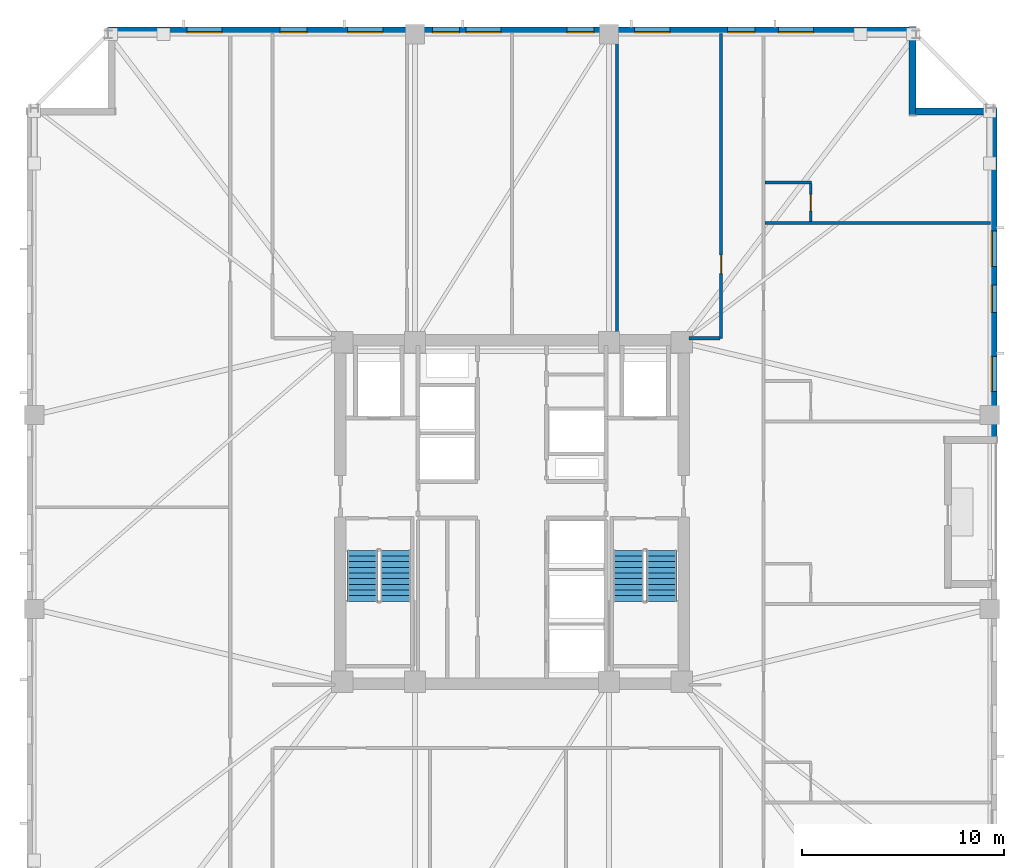
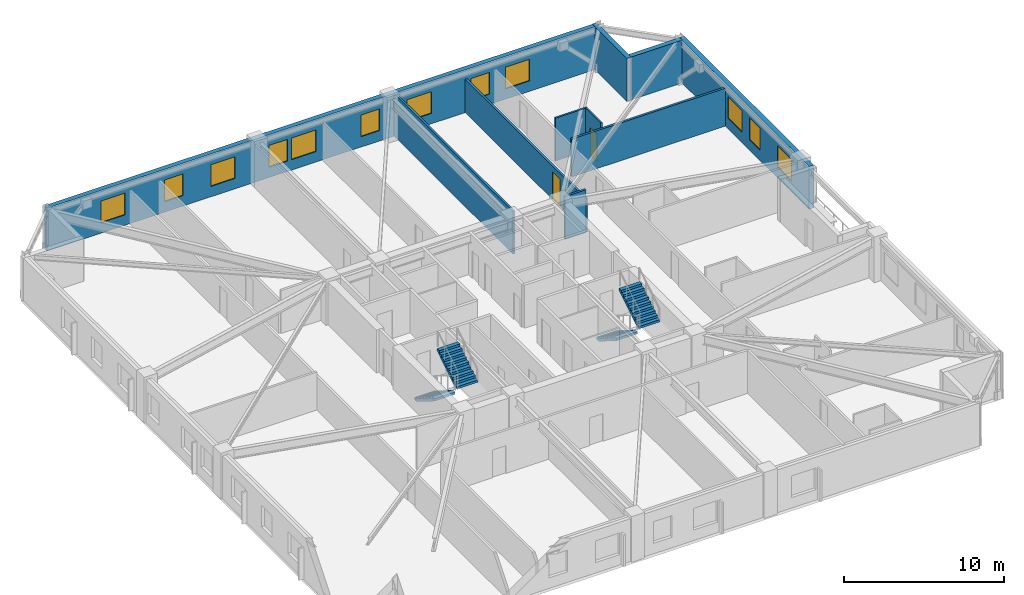
# One storey, part 5 of 10: 12 windows, 10 walls, 4 stair flights, 2 doors, 14 openings, 2 elements without a shape of their own.
"""IFC4 building model written with IfcOpenShell, lengths in metres."""

from ifc_helpers import new_model, si_unit, direction, frame, frame_2d, origin, place, context, subcontext, project, spatial, polyline, rectangle, outline, extrude, material, layer, layer_set, type_object, element, fill, aggregate, save


model = new_model("IFC4")

# Units and contexts
model_context = context("Model", 3, precision=1e-05, world=origin(), true_north=direction((0.0, 1.0)))
body_context = subcontext(model_context, "Body", "Model", "MODEL_VIEW")
ifc_project = project(units=[si_unit("LENGTHUNIT", "METRE"), si_unit("AREAUNIT", "SQUARE_METRE"), si_unit("VOLUMEUNIT", "CUBIC_METRE"), si_unit("PLANEANGLEUNIT", "RADIAN"), si_unit("MASSUNIT", "GRAM", prefix="KILO")], contexts=[model_context])

# Site, building, storey
site_placement = place(None, origin())
site = spatial("IfcSite", under=ifc_project, at=site_placement, CompositionType="ELEMENT")
building_placement = place(site_placement, origin())
building = spatial("IfcBuilding", under=site, at=building_placement, Name="Cairnveth Concourse Tower", CompositionType="ELEMENT")
storey_placement = place(building_placement, frame((0.0, 0.0, 186.5)))
storey = spatial("IfcBuildingStorey", under=building, at=storey_placement, Name="L51", CompositionType="ELEMENT", Elevation=186.5)

# Wall, opening, door
ifc_material_1 = material(Name="Gypsum Plasterboard Partition", Category="gypsum")
ifc_layer_1 = layer(ifc_material_1, 0.159912109375)
ifc_layer_set_1 = layer_set([ifc_layer_1], Name="Gypsum Plasterboard Partition")
wall_type_1 = type_object("IfcWallType", Name="ACOUSTIC PARTY WALL 180", PredefinedType="PARTITIONING", material=ifc_layer_set_1)
wall_1_placement = place(storey_placement, frame((62.35009765625, 47.60009765625, 0.0), z_axis=(0.0, 0.0, 1.0), x_axis=(0.0, 1.0, 0.0)))
wall_1 = element("IfcWall", 1, at=wall_1_placement, inside=storey, type_object=wall_type_1, Name="Interior Wall IW-L51-044", PredefinedType="PARTITIONING", context=body_context, shape_type="SweptSolid", body=[
    extrude(rectangle(XDim=15.074951171875, YDim=0.159912109375, at=frame_2d((7.53759765625, 0.0))), origin(), (0.0, 0.0, 1.0), 2.554931640625),
])
opening_1_placement = place(wall_1_placement, frame((3.199951171875, 0.0, 0.0)))
opening_1 = element("IfcOpeningElement", 2, at=opening_1_placement, cuts=wall_1, Name="Opening ID15", PredefinedType="OPENING", context=body_context, shape_type="SweptSolid", body=[
    extrude(rectangle(XDim=0.919921875, YDim=2.1201171875, at=frame_2d((0.4599609375, 1.06005859375))), frame((0.0, 0.08984375, 0.0), z_axis=(0.0, -1.0, 0.0), x_axis=(1.0, 0.0, 0.0)), (0.0, 0.0, 1.0), 0.179931640625),
])
ifc_material_2 = material(Name="Solid Core Hardwood Timber Leaf", Category="wood")
door_type_1 = type_object("IfcDoorType", Name="INTERIOR SINGLE DOOR 920X2100", OperationType="NOTDEFINED", PredefinedType="DOOR", material=ifc_material_2)
door_1_placement = place(opening_1_placement, origin())
door_1 = element("IfcDoor", 3, at=door_1_placement, inside=storey, type_object=door_type_1, Name="Interior Door DR-L51-019", OperationType="SINGLE_SWING_LEFT", OverallHeight=2.1201171875, OverallWidth=0.919921875, PredefinedType="DOOR", context=body_context, shape_type="SweptSolid", body=[
    extrude(rectangle(XDim=0.919921875, YDim=2.1201171875, at=frame_2d((0.4599609375, 1.06005859375))), frame((0.0, 0.02490234375, 0.0), z_axis=(0.0, -1.0, 0.0), x_axis=(1.0, 0.0, 0.0)), (0.0, 0.0, 1.0), 0.050048828125),
])
fill(opening_1, door_1)

# Walls
wall_2_placement = place(storey_placement, frame((60.764892578125, 47.60009765625, 0.0), z_axis=(0.0, 0.0, 1.0), x_axis=(1.0, 0.0, 0.0)))
element("IfcWall", 4, at=wall_2_placement, inside=storey, type_object=wall_type_1, Name="Interior Wall IW-L51-046", PredefinedType="PARTITIONING", context=body_context, shape_type="SweptSolid", body=[
    extrude(rectangle(XDim=1.52001953125, YDim=0.159912109375, at=frame_2d((0.760009765625, 0.0))), origin(), (0.0, 0.0, 1.0), 3.280029296875),
])
wall_3_placement = place(storey_placement, frame((64.530029296875, 53.308837890625, 0.0), z_axis=(0.0, 0.0, 1.0), x_axis=(1.0, 0.0, 0.0)))
element("IfcWall", 5, at=wall_3_placement, inside=storey, type_object=wall_type_1, Name="Interior Wall IW-L51-066", PredefinedType="PARTITIONING", context=body_context, shape_type="SweptSolid", body=[
    extrude(rectangle(XDim=11.14501953125, YDim=0.159912109375, at=frame_2d((5.572509765625, 0.0))), origin(), (0.0, 0.0, 1.0), 2.89599609375),
])
ifc_layer_2 = layer(ifc_material_1, 0.139892578125)
ifc_layer_set_2 = layer_set([ifc_layer_2], Name="Gypsum Plasterboard Partition")
wall_type_2 = type_object("IfcWallType", Name="GYPSUM STUD PARTITION 140", PredefinedType="PARTITIONING", material=ifc_layer_set_2)
wall_4_placement = place(storey_placement, frame((57.199951171875, 47.760009765625, 0.0), z_axis=(0.0, 0.0, 1.0), x_axis=(0.0, 1.0, 0.0)))
element("IfcWall", 6, at=wall_4_placement, inside=storey, type_object=wall_type_2, Name="Interior Wall IW-L51-050", PredefinedType="PARTITIONING", context=body_context, shape_type="SweptSolid", body=[
    extrude(rectangle(XDim=14.9150390625, YDim=0.139892578125, at=frame_2d((7.45751953125, 0.0))), origin(), (0.0, 0.0, 1.0), 3.280029296875),
])
ifc_layer_3 = layer(ifc_material_1, 0.1298828125)
ifc_layer_set_3 = layer_set([ifc_layer_3], Name="Gypsum Plasterboard Partition")
wall_type_3 = type_object("IfcWallType", Name="WET AREA PARTITION 140", PredefinedType="PLUMBINGWALL", material=ifc_layer_set_3)
wall_5_placement = place(storey_placement, frame((64.514892578125, 55.308837890625, 0.0), z_axis=(0.0, 0.0, 1.0), x_axis=(1.0, 0.0, 0.0)))
element("IfcWall", 7, at=wall_5_placement, inside=storey, type_object=wall_type_3, Name="Interior Wall IW-L51-067", PredefinedType="PLUMBINGWALL", context=body_context, shape_type="SweptSolid", body=[
    extrude(rectangle(XDim=2.315185546875, YDim=0.1298828125, at=frame_2d((1.15771484375, 0.0))), origin(), (0.0, 0.0, 1.0), 3.280029296875),
])

# Wall, opening, door
wall_6_placement = place(storey_placement, frame((66.780029296875, 53.373779296875, 0.0), z_axis=(0.0, 0.0, 1.0), x_axis=(0.0, 1.0, 0.0)))
wall_6 = element("IfcWall", 8, at=wall_6_placement, inside=storey, type_object=wall_type_3, Name="Interior Wall IW-L51-068", PredefinedType="PLUMBINGWALL", context=body_context, shape_type="SweptSolid", body=[
    extrude(rectangle(XDim=1.885009765625, YDim=0.1298828125, at=frame_2d((0.9423828125, 0.0))), origin(), (0.0, 0.0, 1.0), 3.280029296875),
])
opening_2_placement = place(wall_6_placement, frame((0.52490234375, 0.0, 0.0)))
opening_2 = element("IfcOpeningElement", 9, at=opening_2_placement, cuts=wall_6, Name="Opening ID22", PredefinedType="OPENING", context=body_context, shape_type="SweptSolid", body=[
    extrude(rectangle(XDim=0.820068359375, YDim=2.10009765625, at=frame_2d((0.41015625, 1.050048828125))), frame((0.0, 0.074951171875, 0.0), z_axis=(0.0, -1.0, 0.0), x_axis=(1.0, 0.0, 0.0)), (0.0, 0.0, 1.0), 0.14990234375),
])
door_type_2 = type_object("IfcDoorType", Name="INTERIOR WC DOOR 820X2100", OperationType="NOTDEFINED", PredefinedType="DOOR", material=ifc_material_2)
door_2_placement = place(opening_2_placement, origin())
door_2 = element("IfcDoor", 10, at=door_2_placement, inside=storey, type_object=door_type_2, Name="En-Suite Door L51-E5", OperationType="SINGLE_SWING_LEFT", OverallHeight=2.10009765625, OverallWidth=0.820068359375, PredefinedType="DOOR", context=body_context, shape_type="SweptSolid", body=[
    extrude(rectangle(XDim=0.820068359375, YDim=2.10009765625, at=frame_2d((0.41015625, 1.050048828125))), frame((0.0, 0.02490234375, 0.0), z_axis=(0.0, -1.0, 0.0), x_axis=(1.0, 0.0, 0.0)), (0.0, 0.0, 1.0), 0.050048828125),
])
fill(opening_2, door_2)

# Wall, openings, windows
ifc_material_3 = material(Name="Hawthorn Red-Ochre Fired Clay Brick Masonry", Category="masonry")
ifc_layer_4 = layer(ifc_material_3, 0.340087890625)
ifc_layer_set_4 = layer_set([ifc_layer_4], Name="Hawthorn Red-Ochre Fired Clay Brick Masonry")
wall_type_4 = type_object("IfcWallType", Name="ZONE 2 BRICK PIER SPANDREL WALL 340", PredefinedType="SOLIDWALL", material=ifc_layer_set_4)
wall_7_placement = place(storey_placement, frame((32.0, 62.830078125, 0.0), z_axis=(0.0, 0.0, 1.0), x_axis=(1.0, 0.0, 0.0)))
wall_7 = element("IfcWall", 11, at=wall_7_placement, inside=storey, type_object=wall_type_4, Name="Exterior Wall EW-L51-S09", PredefinedType="SOLIDWALL", context=body_context, shape_type="SweptSolid", body=[
    extrude(rectangle(XDim=39.681884765625, YDim=0.340087890625, at=frame_2d((19.8408203125, 0.0))), origin(), (0.0, 0.0, 1.0), 3.280029296875),
])
opening_3_placement = place(wall_7_placement, frame((3.90185546875, 0.0, 0.800048828125)))
opening_3 = element("IfcOpeningElement", 12, at=opening_3_placement, cuts=wall_7, Name="Opening W06", PredefinedType="OPENING", context=body_context, shape_type="SweptSolid", body=[
    extrude(rectangle(XDim=1.75, YDim=1.659912109375, at=frame_2d((0.875, 0.830078125))), frame((0.0, 0.179931640625, 0.0), z_axis=(0.0, -1.0, 0.0), x_axis=(1.0, 0.0, 0.0)), (0.0, 0.0, 1.0), 0.360107421875),
])
opening_4_placement = place(wall_7_placement, frame((8.50537109375, 0.0, 0.800048828125)))
opening_4 = element("IfcOpeningElement", 13, at=opening_4_placement, cuts=wall_7, Name="Opening W02", PredefinedType="OPENING", context=body_context, shape_type="SweptSolid", body=[
    extrude(rectangle(XDim=1.35009765625, YDim=1.659912109375, at=frame_2d((0.675048828125, 0.830078125))), frame((0.0, 0.179931640625, 0.0), z_axis=(0.0, -1.0, 0.0), x_axis=(1.0, 0.0, 0.0)), (0.0, 0.0, 1.0), 0.360107421875),
])
opening_5_placement = place(wall_7_placement, frame((11.85888671875, 0.0, 0.800048828125)))
opening_5 = element("IfcOpeningElement", 14, at=opening_5_placement, cuts=wall_7, Name="Opening W06", PredefinedType="OPENING", context=body_context, shape_type="SweptSolid", body=[
    extrude(rectangle(XDim=1.75, YDim=1.659912109375, at=frame_2d((0.875, 0.830078125))), frame((0.0, 0.179931640625, 0.0), z_axis=(0.0, -1.0, 0.0), x_axis=(1.0, 0.0, 0.0)), (0.0, 0.0, 1.0), 0.360107421875),
])
opening_6_placement = place(wall_7_placement, frame((16.0625, 0.0, 0.800048828125)))
opening_6 = element("IfcOpeningElement", 15, at=opening_6_placement, cuts=wall_7, Name="Opening W02", PredefinedType="OPENING", context=body_context, shape_type="SweptSolid", body=[
    extrude(rectangle(XDim=1.35009765625, YDim=1.659912109375, at=frame_2d((0.675048828125, 0.830078125))), frame((0.0, 0.179931640625, 0.0), z_axis=(0.0, -1.0, 0.0), x_axis=(1.0, 0.0, 0.0)), (0.0, 0.0, 1.0), 0.360107421875),
])
opening_7_placement = place(wall_7_placement, frame((17.716064453125, 0.0, 0.800048828125)))
opening_7 = element("IfcOpeningElement", 16, at=opening_7_placement, cuts=wall_7, Name="Opening W06", PredefinedType="OPENING", context=body_context, shape_type="SweptSolid", body=[
    extrude(rectangle(XDim=1.75, YDim=1.659912109375, at=frame_2d((0.875, 0.830078125))), frame((0.0, 0.179931640625, 0.0), z_axis=(0.0, -1.0, 0.0), x_axis=(1.0, 0.0, 0.0)), (0.0, 0.0, 1.0), 0.360107421875),
])
opening_8_placement = place(wall_7_placement, frame((22.719482421875, 0.0, 0.800048828125)))
opening_8 = element("IfcOpeningElement", 17, at=opening_8_placement, cuts=wall_7, Name="Opening W02", PredefinedType="OPENING", context=body_context, shape_type="SweptSolid", body=[
    extrude(rectangle(XDim=1.35009765625, YDim=1.659912109375, at=frame_2d((0.675048828125, 0.830078125))), frame((0.0, 0.179931640625, 0.0), z_axis=(0.0, -1.0, 0.0), x_axis=(1.0, 0.0, 0.0)), (0.0, 0.0, 1.0), 0.360107421875),
])
opening_9_placement = place(wall_7_placement, frame((26.072998046875, 0.0, 0.800048828125)))
opening_9 = element("IfcOpeningElement", 18, at=opening_9_placement, cuts=wall_7, Name="Opening W06", PredefinedType="OPENING", context=body_context, shape_type="SweptSolid", body=[
    extrude(rectangle(XDim=1.75, YDim=1.659912109375, at=frame_2d((0.875, 0.830078125))), frame((0.0, 0.179931640625, 0.0), z_axis=(0.0, -1.0, 0.0), x_axis=(1.0, 0.0, 0.0)), (0.0, 0.0, 1.0), 0.360107421875),
])
opening_10_placement = place(wall_7_placement, frame((30.6767578125, 0.0, 0.800048828125)))
opening_10 = element("IfcOpeningElement", 19, at=opening_10_placement, cuts=wall_7, Name="Opening W02", PredefinedType="OPENING", context=body_context, shape_type="SweptSolid", body=[
    extrude(rectangle(XDim=1.35009765625, YDim=1.659912109375, at=frame_2d((0.675048828125, 0.830078125))), frame((0.0, 0.179931640625, 0.0), z_axis=(0.0, -1.0, 0.0), x_axis=(1.0, 0.0, 0.0)), (0.0, 0.0, 1.0), 0.360107421875),
])
opening_11_placement = place(wall_7_placement, frame((33.18017578125, 0.0, 0.800048828125)))
opening_11 = element("IfcOpeningElement", 20, at=opening_11_placement, cuts=wall_7, Name="Opening W06", PredefinedType="OPENING", context=body_context, shape_type="SweptSolid", body=[
    extrude(rectangle(XDim=1.75, YDim=1.659912109375, at=frame_2d((0.875, 0.830078125))), frame((0.0, 0.179931640625, 0.0), z_axis=(0.0, -1.0, 0.0), x_axis=(1.0, 0.0, 0.0)), (0.0, 0.0, 1.0), 0.360107421875),
])
ifc_material_4 = material(Name="Double Glazed Low-E Clear Glass", Category="glass")
window_type_1 = type_object("IfcWindowType", Name="DEEP-SET GOTHIC LANCET WINDOW 1350X1800", PartitioningType="DOUBLE_PANEL_VERTICAL", PredefinedType="WINDOW", material=ifc_material_4)
window_1_placement = place(opening_4_placement, origin())
window_1 = element("IfcWindow", 21, at=window_1_placement, inside=storey, type_object=window_type_1, Name="Gothic Lancet Window L51-9-2", OverallHeight=1.659912109375, OverallWidth=1.35009765625, PartitioningType="SINGLE_PANEL", PredefinedType="WINDOW", context=body_context, shape_type="SweptSolid", body=[
    extrude(rectangle(XDim=1.35009765625, YDim=1.659912109375, at=frame_2d((0.675048828125, 0.830078125))), frame((0.0, -0.050048828125, 0.0), z_axis=(0.0, -1.0, 0.0), x_axis=(1.0, 0.0, 0.0)), (0.0, 0.0, 1.0), 0.06005859375),
])
fill(opening_4, window_1)
window_2_placement = place(opening_6_placement, origin())
window_2 = element("IfcWindow", 22, at=window_2_placement, inside=storey, type_object=window_type_1, Name="Gothic Lancet Window L51-9-4", OverallHeight=1.659912109375, OverallWidth=1.35009765625, PartitioningType="SINGLE_PANEL", PredefinedType="WINDOW", context=body_context, shape_type="SweptSolid", body=[
    extrude(rectangle(XDim=1.35009765625, YDim=1.659912109375, at=frame_2d((0.675048828125, 0.830078125))), frame((0.0, -0.050048828125, 0.0), z_axis=(0.0, -1.0, 0.0), x_axis=(1.0, 0.0, 0.0)), (0.0, 0.0, 1.0), 0.06005859375),
])
fill(opening_6, window_2)
window_3_placement = place(opening_8_placement, origin())
window_3 = element("IfcWindow", 23, at=window_3_placement, inside=storey, type_object=window_type_1, Name="Gothic Lancet Window L51-9-6", OverallHeight=1.659912109375, OverallWidth=1.35009765625, PartitioningType="SINGLE_PANEL", PredefinedType="WINDOW", context=body_context, shape_type="SweptSolid", body=[
    extrude(rectangle(XDim=1.35009765625, YDim=1.659912109375, at=frame_2d((0.675048828125, 0.830078125))), frame((0.0, -0.050048828125, 0.0), z_axis=(0.0, -1.0, 0.0), x_axis=(1.0, 0.0, 0.0)), (0.0, 0.0, 1.0), 0.06005859375),
])
fill(opening_8, window_3)
window_4_placement = place(opening_10_placement, origin())
window_4 = element("IfcWindow", 24, at=window_4_placement, inside=storey, type_object=window_type_1, Name="Gothic Lancet Window L51-9-8", OverallHeight=1.659912109375, OverallWidth=1.35009765625, PartitioningType="SINGLE_PANEL", PredefinedType="WINDOW", context=body_context, shape_type="SweptSolid", body=[
    extrude(rectangle(XDim=1.35009765625, YDim=1.659912109375, at=frame_2d((0.675048828125, 0.830078125))), frame((0.0, -0.050048828125, 0.0), z_axis=(0.0, -1.0, 0.0), x_axis=(1.0, 0.0, 0.0)), (0.0, 0.0, 1.0), 0.06005859375),
])
fill(opening_10, window_4)
window_type_2 = type_object("IfcWindowType", Name="DEEP-SET HOTEL SUITE WINDOW 1750X1800", PartitioningType="DOUBLE_PANEL_VERTICAL", PredefinedType="WINDOW", material=ifc_material_4)
window_5_placement = place(opening_3_placement, origin())
window_5 = element("IfcWindow", 25, at=window_5_placement, inside=storey, type_object=window_type_2, Name="Gothic Lancet Window L51-9-1", OverallHeight=1.659912109375, OverallWidth=1.75, PartitioningType="SINGLE_PANEL", PredefinedType="WINDOW", context=body_context, shape_type="SweptSolid", body=[
    extrude(rectangle(XDim=1.75, YDim=1.659912109375, at=frame_2d((0.875, 0.830078125))), frame((0.0, -0.050048828125, 0.0), z_axis=(0.0, -1.0, 0.0), x_axis=(1.0, 0.0, 0.0)), (0.0, 0.0, 1.0), 0.06005859375),
])
fill(opening_3, window_5)
window_6_placement = place(opening_5_placement, origin())
window_6 = element("IfcWindow", 26, at=window_6_placement, inside=storey, type_object=window_type_2, Name="Gothic Lancet Window L51-9-3", OverallHeight=1.659912109375, OverallWidth=1.75, PartitioningType="SINGLE_PANEL", PredefinedType="WINDOW", context=body_context, shape_type="SweptSolid", body=[
    extrude(rectangle(XDim=1.75, YDim=1.659912109375, at=frame_2d((0.875, 0.830078125))), frame((0.0, -0.050048828125, 0.0), z_axis=(0.0, -1.0, 0.0), x_axis=(1.0, 0.0, 0.0)), (0.0, 0.0, 1.0), 0.06005859375),
])
fill(opening_5, window_6)
window_7_placement = place(opening_7_placement, origin())
window_7 = element("IfcWindow", 27, at=window_7_placement, inside=storey, type_object=window_type_2, Name="Gothic Lancet Window L51-9-5", OverallHeight=1.659912109375, OverallWidth=1.75, PartitioningType="SINGLE_PANEL", PredefinedType="WINDOW", context=body_context, shape_type="SweptSolid", body=[
    extrude(rectangle(XDim=1.75, YDim=1.659912109375, at=frame_2d((0.875, 0.830078125))), frame((0.0, -0.050048828125, 0.0), z_axis=(0.0, -1.0, 0.0), x_axis=(1.0, 0.0, 0.0)), (0.0, 0.0, 1.0), 0.06005859375),
])
fill(opening_7, window_7)
window_8_placement = place(opening_9_placement, origin())
window_8 = element("IfcWindow", 28, at=window_8_placement, inside=storey, type_object=window_type_2, Name="Gothic Lancet Window L51-9-7", OverallHeight=1.659912109375, OverallWidth=1.75, PartitioningType="SINGLE_PANEL", PredefinedType="WINDOW", context=body_context, shape_type="SweptSolid", body=[
    extrude(rectangle(XDim=1.75, YDim=1.659912109375, at=frame_2d((0.875, 0.830078125))), frame((0.0, -0.050048828125, 0.0), z_axis=(0.0, -1.0, 0.0), x_axis=(1.0, 0.0, 0.0)), (0.0, 0.0, 1.0), 0.06005859375),
])
fill(opening_9, window_8)
window_9_placement = place(opening_11_placement, origin())
window_9 = element("IfcWindow", 29, at=window_9_placement, inside=storey, type_object=window_type_2, Name="Gothic Lancet Window L51-9-9", OverallHeight=1.659912109375, OverallWidth=1.75, PartitioningType="SINGLE_PANEL", PredefinedType="WINDOW", context=body_context, shape_type="SweptSolid", body=[
    extrude(rectangle(XDim=1.75, YDim=1.659912109375, at=frame_2d((0.875, 0.830078125))), frame((0.0, -0.050048828125, 0.0), z_axis=(0.0, -1.0, 0.0), x_axis=(1.0, 0.0, 0.0)), (0.0, 0.0, 1.0), 0.06005859375),
])
fill(opening_11, window_9)

# Walls
wall_8_placement = place(storey_placement, frame((71.830078125, 63.0, 0.0), z_axis=(0.0, 0.0, 1.0), x_axis=(0.0, -1.0, 0.0)))
element("IfcWall", 30, at=wall_8_placement, inside=storey, type_object=wall_type_4, Name="Exterior Wall EW-L51-S10", PredefinedType="SOLIDWALL", context=body_context, shape_type="SweptSolid", body=[
    extrude(rectangle(XDim=4.340087890625, YDim=0.340087890625, at=frame_2d((2.169921875, 0.0))), origin(), (0.0, 0.0, 1.0), 3.280029296875),
])
wall_9_placement = place(storey_placement, frame((71.97802734375, 58.830078125, 0.0), z_axis=(0.0, 0.0, 1.0), x_axis=(1.0, 0.0, 0.0)))
element("IfcWall", 31, at=wall_9_placement, inside=storey, type_object=wall_type_4, Name="Exterior Wall EW-L51-S11", PredefinedType="SOLIDWALL", context=body_context, shape_type="SweptSolid", body=[
    extrude(rectangle(XDim=3.703857421875, YDim=0.340087890625, at=frame_2d((1.85205078125, 0.0))), origin(), (0.0, 0.0, 1.0), 3.280029296875),
])

# Wall, openings, windows
wall_10_placement = place(storey_placement, frame((75.830078125, 59.0, 0.0), z_axis=(0.0, 0.0, 1.0), x_axis=(0.0, -1.0, 0.0)))
wall_10 = element("IfcWall", 32, at=wall_10_placement, inside=storey, type_object=wall_type_4, Name="Exterior Wall EW-L51-S12", PredefinedType="SOLIDWALL", context=body_context, shape_type="SweptSolid", body=[
    extrude(rectangle(XDim=16.281982421875, YDim=0.340087890625, at=frame_2d((8.14111328125, 0.0))), origin(), (0.0, 0.0, 1.0), 3.280029296875),
])
opening_12_placement = place(wall_10_placement, frame((6.088623046875, 0.0, 0.800048828125)))
opening_12 = element("IfcOpeningElement", 33, at=opening_12_placement, cuts=wall_10, Name="Opening W06", PredefinedType="OPENING", context=body_context, shape_type="SweptSolid", body=[
    extrude(rectangle(XDim=1.75, YDim=1.659912109375, at=frame_2d((0.875, 0.830078125))), frame((0.0, 0.179931640625, 0.0), z_axis=(0.0, -1.0, 0.0), x_axis=(1.0, 0.0, 0.0)), (0.0, 0.0, 1.0), 0.360107421875),
])
opening_13_placement = place(wall_10_placement, frame((8.76611328125, 0.0, 0.800048828125)))
opening_13 = element("IfcOpeningElement", 34, at=opening_13_placement, cuts=wall_10, Name="Opening W02", PredefinedType="OPENING", context=body_context, shape_type="SweptSolid", body=[
    extrude(rectangle(XDim=1.35009765625, YDim=1.659912109375, at=frame_2d((0.675048828125, 0.830078125))), frame((0.0, 0.179931640625, 0.0), z_axis=(0.0, -1.0, 0.0), x_axis=(1.0, 0.0, 0.0)), (0.0, 0.0, 1.0), 0.360107421875),
])
opening_14_placement = place(wall_10_placement, frame((12.293212890625, 0.0, 0.800048828125)))
opening_14 = element("IfcOpeningElement", 35, at=opening_14_placement, cuts=wall_10, Name="Opening W06", PredefinedType="OPENING", context=body_context, shape_type="SweptSolid", body=[
    extrude(rectangle(XDim=1.75, YDim=1.659912109375, at=frame_2d((0.875, 0.830078125))), frame((0.0, 0.179931640625, 0.0), z_axis=(0.0, -1.0, 0.0), x_axis=(1.0, 0.0, 0.0)), (0.0, 0.0, 1.0), 0.360107421875),
])
window_10_placement = place(opening_13_placement, origin())
window_10 = element("IfcWindow", 36, at=window_10_placement, inside=storey, type_object=window_type_1, Name="Gothic Lancet Window L51-12-2", OverallHeight=1.659912109375, OverallWidth=1.35009765625, PartitioningType="SINGLE_PANEL", PredefinedType="WINDOW", context=body_context, shape_type="SweptSolid", body=[
    extrude(rectangle(XDim=1.35009765625, YDim=1.659912109375, at=frame_2d((0.675048828125, 0.830078125))), frame((0.0, -0.050048828125, 0.0), z_axis=(0.0, -1.0, 0.0), x_axis=(1.0, 0.0, 0.0)), (0.0, 0.0, 1.0), 0.06005859375),
])
fill(opening_13, window_10)
window_11_placement = place(opening_12_placement, origin())
window_11 = element("IfcWindow", 37, at=window_11_placement, inside=storey, type_object=window_type_2, Name="Gothic Lancet Window L51-12-1", OverallHeight=1.659912109375, OverallWidth=1.75, PartitioningType="SINGLE_PANEL", PredefinedType="WINDOW", context=body_context, shape_type="SweptSolid", body=[
    extrude(rectangle(XDim=1.75, YDim=1.659912109375, at=frame_2d((0.875, 0.830078125))), frame((0.0, -0.050048828125, 0.0), z_axis=(0.0, -1.0, 0.0), x_axis=(1.0, 0.0, 0.0)), (0.0, 0.0, 1.0), 0.06005859375),
])
fill(opening_12, window_11)
window_12_placement = place(opening_14_placement, origin())
window_12 = element("IfcWindow", 38, at=window_12_placement, inside=storey, type_object=window_type_2, Name="Gothic Lancet Window L51-12-3", OverallHeight=1.659912109375, OverallWidth=1.75, PartitioningType="SINGLE_PANEL", PredefinedType="WINDOW", context=body_context, shape_type="SweptSolid", body=[
    extrude(rectangle(XDim=1.75, YDim=1.659912109375, at=frame_2d((0.875, 0.830078125))), frame((0.0, -0.050048828125, 0.0), z_axis=(0.0, -1.0, 0.0), x_axis=(1.0, 0.0, 0.0)), (0.0, 0.0, 1.0), 0.06005859375),
])
fill(opening_14, window_12)

# Stair, stair flights
ifc_material_5 = material(Name="Precast concrete N50 (50 MPa)", Category="concrete")
stair_type = type_object("IfcStairType", Name="CORE DOG-LEG FIRE STAIR 1500", PredefinedType="HALF_TURN_STAIR", material=ifc_material_5)
stair_1_placement = place(storey_placement, origin())
stair_1 = element("IfcStair", 39, at=stair_1_placement, inside=storey, type_object=stair_type, Name="L51 Fire-Isolated Stair ST-1", PredefinedType="HALF_TURN_STAIR")
stair_flight_type = type_object("IfcStairFlightType", Name="PRECAST CONCRETE STAIR FLIGHT 1500", PredefinedType="STRAIGHT", material=ifc_material_5)
stair_flight_1_placement = place(storey_placement, frame((44.590087890625, 37.10009765625, 0.0), z_axis=(0.0, 0.0, 1.0), x_axis=(0.0, -1.0, 0.0)))
stair_flight_1 = element("IfcStairFlight", 40, at=stair_flight_1_placement, type_object=stair_flight_type, Name="ST-1 flight 1", NumberOfRisers=10, NumberOfTreads=9, PredefinedType="STRAIGHT", RiserHeight=0.175, TreadLength=0.28, context=body_context, shape_type="SweptSolid", body=[
    extrude(outline(polyline([(0.0, 0.0), (0.0, 0.175048828125), (0.280029296875, 0.175048828125), (0.280029296875, 0.35009765625), (0.56005859375, 0.35009765625), (0.56005859375, 0.52490234375), (0.840087890625, 0.52490234375), (0.840087890625, 0.699951171875), (1.1201171875, 0.699951171875), (1.1201171875, 0.875), (1.39990234375, 0.875), (1.39990234375, 1.050048828125), (1.679931640625, 1.050048828125), (1.679931640625, 1.22509765625), (1.9599609375, 1.22509765625), (1.9599609375, 1.39990234375), (2.239990234375, 1.39990234375), (2.239990234375, 1.574951171875), (2.52001953125, 1.574951171875), (2.52001953125, 1.75), (2.52001953125, 1.398193359375), (0.28271484375, 0.0), (0.0, 0.0)])), frame((0.0, 0.75, 0.0), z_axis=(0.0, -1.0, 0.0), x_axis=(1.0, 0.0, 0.0)), (0.0, 0.0, 1.0), 1.5),
])
stair_flight_2_placement = place(storey_placement, frame((46.22998046875, 34.580078125, 1.75), z_axis=(0.0, 0.0, 1.0), x_axis=(0.0, 1.0, 0.0)))
stair_flight_2 = element("IfcStairFlight", 41, at=stair_flight_2_placement, type_object=stair_flight_type, Name="ST-1 flight 2", NumberOfRisers=10, NumberOfTreads=9, PredefinedType="STRAIGHT", RiserHeight=0.175, TreadLength=0.28, context=body_context, shape_type="SweptSolid", body=[
    extrude(outline(polyline([(0.0, 0.0), (0.0, 0.175048828125), (0.280029296875, 0.175048828125), (0.280029296875, 0.35009765625), (0.56005859375, 0.35009765625), (0.56005859375, 0.52490234375), (0.840087890625, 0.52490234375), (0.840087890625, 0.699951171875), (1.1201171875, 0.699951171875), (1.1201171875, 0.875), (1.39990234375, 0.875), (1.39990234375, 1.050048828125), (1.679931640625, 1.050048828125), (1.679931640625, 1.22509765625), (1.9599609375, 1.22509765625), (1.9599609375, 1.39990234375), (2.239990234375, 1.39990234375), (2.239990234375, 1.574951171875), (2.52001953125, 1.574951171875), (2.52001953125, 1.75), (2.52001953125, 1.398193359375), (0.28271484375, 0.0), (0.0, 0.0)])), frame((0.0, 0.75, 0.0), z_axis=(0.0, -1.0, 0.0), x_axis=(1.0, 0.0, 0.0)), (0.0, 0.0, 1.0), 1.5),
])
aggregate(stair_1, [stair_flight_1, stair_flight_2])

stair_2_placement = place(storey_placement, origin())
stair_2 = element("IfcStair", 42, at=stair_2_placement, inside=storey, type_object=stair_type, Name="L51 Fire-Isolated Stair ST-2", PredefinedType="HALF_TURN_STAIR")
stair_flight_3_placement = place(storey_placement, frame((57.77001953125, 37.10009765625, 0.0), z_axis=(0.0, 0.0, 1.0), x_axis=(0.0, -1.0, 0.0)))
stair_flight_3 = element("IfcStairFlight", 43, at=stair_flight_3_placement, type_object=stair_flight_type, Name="ST-2 flight 1", NumberOfRisers=10, NumberOfTreads=9, PredefinedType="STRAIGHT", RiserHeight=0.175, TreadLength=0.28, context=body_context, shape_type="SweptSolid", body=[
    extrude(outline(polyline([(0.0, 0.0), (0.0, 0.175048828125), (0.280029296875, 0.175048828125), (0.280029296875, 0.35009765625), (0.56005859375, 0.35009765625), (0.56005859375, 0.52490234375), (0.840087890625, 0.52490234375), (0.840087890625, 0.699951171875), (1.1201171875, 0.699951171875), (1.1201171875, 0.875), (1.39990234375, 0.875), (1.39990234375, 1.050048828125), (1.679931640625, 1.050048828125), (1.679931640625, 1.22509765625), (1.9599609375, 1.22509765625), (1.9599609375, 1.39990234375), (2.239990234375, 1.39990234375), (2.239990234375, 1.574951171875), (2.52001953125, 1.574951171875), (2.52001953125, 1.75), (2.52001953125, 1.398193359375), (0.28271484375, 0.0), (0.0, 0.0)])), frame((0.0, 0.75, 0.0), z_axis=(0.0, -1.0, 0.0), x_axis=(1.0, 0.0, 0.0)), (0.0, 0.0, 1.0), 1.5),
])
stair_flight_4_placement = place(storey_placement, frame((59.409912109375, 34.580078125, 1.75), z_axis=(0.0, 0.0, 1.0), x_axis=(0.0, 1.0, 0.0)))
stair_flight_4 = element("IfcStairFlight", 44, at=stair_flight_4_placement, type_object=stair_flight_type, Name="ST-2 flight 2", NumberOfRisers=10, NumberOfTreads=9, PredefinedType="STRAIGHT", RiserHeight=0.175, TreadLength=0.28, context=body_context, shape_type="SweptSolid", body=[
    extrude(outline(polyline([(0.0, 0.0), (0.0, 0.175048828125), (0.280029296875, 0.175048828125), (0.280029296875, 0.35009765625), (0.56005859375, 0.35009765625), (0.56005859375, 0.52490234375), (0.840087890625, 0.52490234375), (0.840087890625, 0.699951171875), (1.1201171875, 0.699951171875), (1.1201171875, 0.875), (1.39990234375, 0.875), (1.39990234375, 1.050048828125), (1.679931640625, 1.050048828125), (1.679931640625, 1.22509765625), (1.9599609375, 1.22509765625), (1.9599609375, 1.39990234375), (2.239990234375, 1.39990234375), (2.239990234375, 1.574951171875), (2.52001953125, 1.574951171875), (2.52001953125, 1.75), (2.52001953125, 1.398193359375), (0.28271484375, 0.0), (0.0, 0.0)])), frame((0.0, 0.75, 0.0), z_axis=(0.0, -1.0, 0.0), x_axis=(1.0, 0.0, 0.0)), (0.0, 0.0, 1.0), 1.5),
])
aggregate(stair_2, [stair_flight_3, stair_flight_4])

save(model, "model.ifc")
